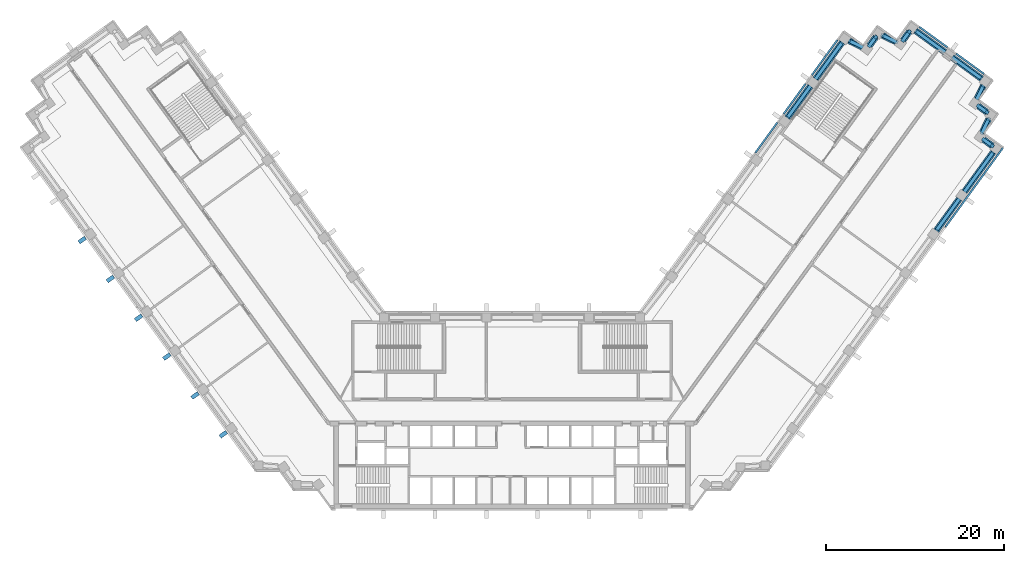
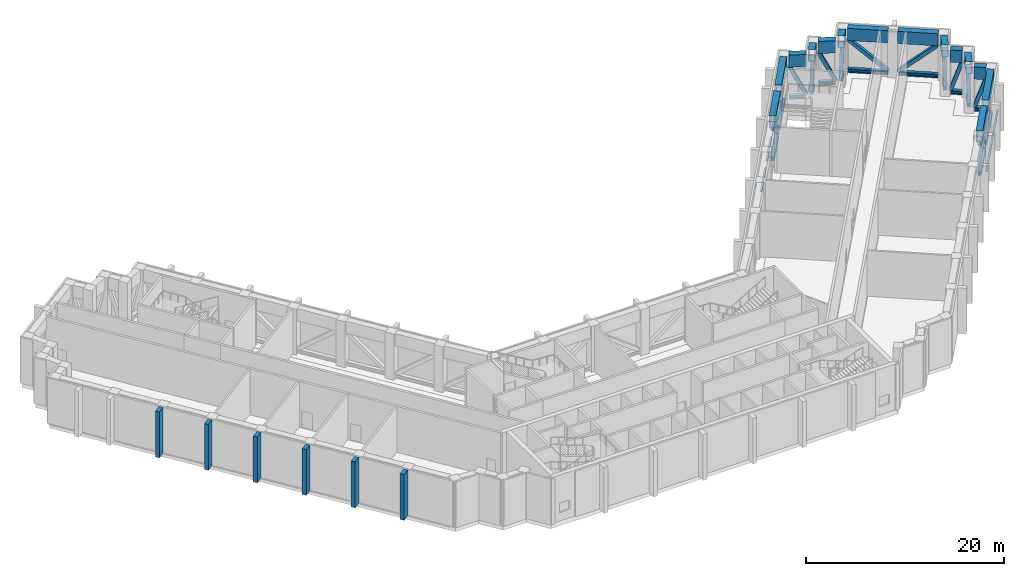
"""IFC4 building model written with IfcOpenShell, lengths in metres."""

import ifcopenshell
import ifcopenshell.guid

model = None  # the IFC model being written
_history = None  # IfcOwnerHistory: only IFC2X3 demands one
_inside = {}  # id of a spatial element -> (the spatial element, [elements in it])
_under = {}  # id of a project, library or spatial element -> (it, [spatial elements below it])
_declared = {}  # id of a project -> (the project, [libraries it declares])
_typed = {}  # id of a type object -> (the type object, [elements of that type])
_made_of = {}  # id of a material, layer set ... -> (it, [elements and type objects made of it])


def new_model(schema):
    """Start an empty IFC model of exactly this schema.

    Asked for "IFC4X3", IfcOpenShell would pick the latest addendum, in which some entities
    have other attributes; the version numbers below select the first issue.
    IFC2X3 requires an IfcOwnerHistory on every rooted entity: one is made here for all.
    """
    global model, _history
    if schema == "IFC4X3":
        model = ifcopenshell.file(schema_version=(4, 3, 0, 0))
    else:
        model = ifcopenshell.file(schema=schema)
    _inside.clear()
    _under.clear()
    _declared.clear()
    _typed.clear()
    _made_of.clear()
    _history = None
    if model.schema == "IFC2X3":
        org = make("IfcOrganization", Name="unknown")
        user = make(
            "IfcPersonAndOrganization",
            ThePerson=make("IfcPerson", FamilyName="unknown"),
            TheOrganization=org,
        )
        app = make(
            "IfcApplication",
            ApplicationDeveloper=org,
            Version="unknown",
            ApplicationFullName="unknown",
            ApplicationIdentifier="unknown",
        )
        _history = make(
            "IfcOwnerHistory",
            OwningUser=user,
            OwningApplication=app,
            ChangeAction="ADDED",
            CreationDate=0,
        )
    return model


def make(cls, **values):
    """One entity of the class cls with the attributes given. An attribute that is None is left unset."""
    return model.create_entity(
        cls, **{name: value for name, value in values.items() if value is not None}
    )


def rooted(cls, **values):
    """An entity with a GlobalId (a new one), such as an element, a storey or a relation."""
    return make(cls, GlobalId=ifcopenshell.guid.new(), OwnerHistory=_history, **values)


def si_unit(unit_type, name, prefix=None):
    """IfcSIUnit, for example si_unit("LENGTHUNIT", "METRE", prefix="MILLI")."""
    return make("IfcSIUnit", UnitType=unit_type, Prefix=prefix, Name=name)


def assignment(units):
    """IfcUnitAssignment: the units of a project."""
    return None if units is None else make("IfcUnitAssignment", Units=units)


def point(xyz):
    """IfcCartesianPoint."""
    return None if xyz is None else make("IfcCartesianPoint", Coordinates=xyz)


def direction(xyz):
    """IfcDirection."""
    return None if xyz is None else make("IfcDirection", DirectionRatios=xyz)


def frame(location, z_axis=None, x_axis=None):
    """IfcAxis2Placement3D, a coordinate frame: its origin and axes. An axis left out is left unset."""
    return make(
        "IfcAxis2Placement3D",
        Location=point(location),
        Axis=direction(z_axis),
        RefDirection=direction(x_axis),
    )


def frame_2d(location, x_axis=None):
    """IfcAxis2Placement2D, a coordinate frame in the plane: its origin and x axis."""
    return make(
        "IfcAxis2Placement2D", Location=point(location), RefDirection=direction(x_axis)
    )


def origin():
    """The frame at (0, 0, 0) with its axes left unset."""
    return frame((0.0, 0.0, 0.0))


def origin_2d():
    """The frame at (0, 0) in the plane with its x axis left unset."""
    return frame_2d((0.0, 0.0))


def place(relative_to, where):
    """IfcLocalPlacement: puts the frame where relative to a parent placement (None: the world)."""
    return make(
        "IfcLocalPlacement", PlacementRelTo=relative_to, RelativePlacement=where
    )


def context(
    kind, dimensions, precision=None, world=None, true_north=None, identifier=None
):
    """IfcGeometricRepresentationContext, for example the 3D "Model" context."""
    return make(
        "IfcGeometricRepresentationContext",
        ContextIdentifier=identifier,
        ContextType=kind,
        CoordinateSpaceDimension=dimensions,
        Precision=precision,
        WorldCoordinateSystem=world,
        TrueNorth=true_north,
    )


def subcontext(parent, identifier, kind, view, scale=None):
    """IfcGeometricRepresentationSubContext, for example "Body" below "Model"."""
    return make(
        "IfcGeometricRepresentationSubContext",
        ContextIdentifier=identifier,
        ContextType=kind,
        ParentContext=parent,
        TargetScale=scale,
        TargetView=view,
    )


def project(units=None, contexts=None):
    """IfcProject with its units and contexts."""
    return rooted(
        "IfcProject",
        Name="project",
        RepresentationContexts=contexts,
        UnitsInContext=assignment(units),
    )


def spatial(cls, under=None, at=None, **own):
    """A site, building, storey or space (cls), placed at a placement, below another one or the project."""
    s = rooted(cls, ObjectPlacement=at, **own)
    if under is not None:
        _under.setdefault(under.id(), (under, []))[1].append(s)
    return s


def profile(cls, at=None, kind="AREA", **sizes):
    """A parametric profile (cls). Its sizes go by their IFC names, for example OverallWidth=200.0."""
    return make(cls, ProfileType=kind, Position=at, **sizes)


def rectangle(**sizes):
    """IfcRectangleProfileDef."""
    return profile("IfcRectangleProfileDef", **sizes)


def hollow_rectangle(**sizes):
    """IfcRectangleHollowProfileDef."""
    return profile("IfcRectangleHollowProfileDef", **sizes)


def i_section(**sizes):
    """IfcIShapeProfileDef."""
    return profile("IfcIShapeProfileDef", **sizes)


def extrude(swept, where, along, depth):
    """IfcExtrudedAreaSolid: the profile swept, set in the frame where, extruded along a direction by depth."""
    return make(
        "IfcExtrudedAreaSolid",
        SweptArea=swept,
        Position=where,
        ExtrudedDirection=direction(along),
        Depth=depth,
    )


def shape(context_of_items, identifier, shape_type, items):
    """IfcShapeRepresentation: the items that make up one representation, for example the "Body"."""
    return make(
        "IfcShapeRepresentation",
        ContextOfItems=context_of_items,
        RepresentationIdentifier=identifier,
        RepresentationType=shape_type,
        Items=items,
    )


def material(Name=None, Category=None):
    """IfcMaterial."""
    return make("IfcMaterial", Name=Name, Category=Category)


def material_profile(
    of_material, cross_section, Name=None, Category=None, Priority=None
):
    """IfcMaterialProfile: a cross section and its material."""
    return make(
        "IfcMaterialProfile",
        Name=Name,
        Material=of_material,
        Profile=cross_section,
        Priority=Priority,
        Category=Category,
    )


def profile_set(profiles, Name=None, composite=None):
    """IfcMaterialProfileSet."""
    return make(
        "IfcMaterialProfileSet",
        Name=Name,
        MaterialProfiles=profiles,
        CompositeProfile=composite,
    )


def made_of(thing, what):
    """Note that an element or type object is made of a material, layer set ...; save() writes the relation."""
    if what is not None:
        _made_of.setdefault(what.id(), (what, []))[1].append(thing)
    return thing


def type_object(cls, material=None, **own):
    """A type object (cls), such as IfcWallType, which elements share."""
    return made_of(rooted(cls, **own), material)


def element(
    cls,
    number,
    at=None,
    inside=None,
    cuts=None,
    type_object=None,
    material=None,
    context=None,
    identifier="Body",
    shape_type=None,
    held_by="IfcProductDefinitionShape",
    body=None,
    shapes=None,
    **own,
):
    """One element of the class cls, such as IfcWall. Its Tag is "e" and its number.

    at: its placement. inside: the storey or other place that contains it. cuts: it is an
    opening in that element (IfcRelVoidsElement). A single representation is given by context,
    identifier, shape_type and body (its items); several are given by shapes. held_by: the class
    of the entity that holds the representations. save() writes the other relations.
    """
    e = rooted(cls, Tag="e%d" % number, ObjectPlacement=at, **own)
    if body is not None:
        shapes = [shape(context, identifier, shape_type, body)]
    if shapes is not None:
        e.Representation = make(held_by, Representations=shapes)
    if inside is not None:
        _inside.setdefault(inside.id(), (inside, []))[1].append(e)
    if cuts is not None:
        rooted(
            "IfcRelVoidsElement", RelatingBuildingElement=cuts, RelatedOpeningElement=e
        )
    if type_object is not None:
        _typed.setdefault(type_object.id(), (type_object, []))[1].append(e)
    return made_of(e, material)


def aggregate(whole, parts):
    """IfcRelAggregates: a whole, such as a stair, and the parts it consists of."""
    return rooted("IfcRelAggregates", RelatingObject=whole, RelatedObjects=parts)


def save(model, path):
    """Write the relations noted so far, then the file.

    IfcRelAggregates (storeys below a building ...), IfcRelContainedInSpatialStructure (elements
    in a storey), IfcRelDefinesByType, IfcRelAssociatesMaterial and IfcRelDeclares: one each for
    every whole, place, type object, material and project.
    """
    for whole, parts in _under.values():
        aggregate(whole, parts)
    for where, things in _inside.values():
        rooted(
            "IfcRelContainedInSpatialStructure",
            RelatedElements=things,
            RelatingStructure=where,
        )
    for kind, things in _typed.values():
        rooted("IfcRelDefinesByType", RelatedObjects=things, RelatingType=kind)
    for what, things in _made_of.values():
        rooted("IfcRelAssociatesMaterial", RelatedObjects=things, RelatingMaterial=what)
    for by, libraries in _declared.values():
        rooted("IfcRelDeclares", RelatingContext=by, RelatedDefinitions=libraries)
    model.write(path)


model = new_model("IFC4")

# Units and contexts
model_context = context("Model", 3, precision=1e-05, world=origin(), true_north=direction((0.0, 1.0)))
body_context = subcontext(model_context, "Body", "Model", "MODEL_VIEW")
ifc_project = project(units=[si_unit("LENGTHUNIT", "METRE"), si_unit("AREAUNIT", "SQUARE_METRE"), si_unit("VOLUMEUNIT", "CUBIC_METRE"), si_unit("PLANEANGLEUNIT", "RADIAN"), si_unit("MASSUNIT", "GRAM", prefix="KILO")], contexts=[model_context])

# Site, building, storey
site_placement = place(None, origin())
site = spatial("IfcSite", under=ifc_project, at=site_placement, CompositionType="ELEMENT")
building_placement = place(site_placement, origin())
building = spatial("IfcBuilding", under=site, at=building_placement, Name="Quipu Civic Tower", CompositionType="ELEMENT")
storey_1_placement = place(building_placement, frame((0.0, 0.0, 25.0)))
storey_1 = spatial("IfcBuildingStorey", under=building, at=storey_1_placement, Name="L05", CompositionType="ELEMENT", Elevation=25.0)

# Beams
ifc_material_1 = material(Name="Steel ASTM A992 Grade 50 (fy 345 MPa)", Category="steel")
ifc_material_profile_1 = material_profile(ifc_material_1, i_section(OverallWidth=0.41552734375, OverallDepth=0.445556640625, WebThickness=0.0390625, FlangeThickness=0.062744140625, at=origin_2d()), Name="W360x509")
ifc_profile_set_1 = profile_set([ifc_material_profile_1], Name="Steel ASTM A992 Grade 50 (fy 345 MPa)")
beam_type_1 = type_object("IfcBeamType", Name="Belt truss bottom chord W360x509", PredefinedType="BEAM", material=ifc_profile_set_1)
beam_1_placement = place(storey_1_placement, frame((47.71240234375, 20.279296875, 0.32275390625), z_axis=(0.587759228046, 0.809035901457, 0.0), x_axis=(-0.809035901457, 0.587759228046, 0.0)))
element("IfcBeam", 1, at=beam_1_placement, inside=storey_1, type_object=beam_type_1, Name="Truss bottom chord L05 E-OUT-06 to E-OUT-07", PredefinedType="BEAM", context=body_context, shape_type="SweptSolid", body=[
    extrude(i_section(OverallWidth=0.41552734375, OverallDepth=0.445556640625, WebThickness=0.0390625, FlangeThickness=0.062744140625, at=origin_2d()), origin(), (0.0, 0.0, 1.0), 4.400146484375),
])
beam_2_placement = place(storey_1_placement, frame((50.88623046875, 24.64794921875, 0.32275390625), z_axis=(0.587765432916, 0.809031393624, 0.0), x_axis=(-0.809031393624, 0.587765432916, 0.0)))
element("IfcBeam", 2, at=beam_2_placement, inside=storey_1, type_object=beam_type_1, Name="Truss bottom chord L05 E-OUT-07 to T-Eo.0-E50", PredefinedType="BEAM", context=body_context, shape_type="SweptSolid", body=[
    extrude(i_section(OverallWidth=0.41552734375, OverallDepth=0.445556640625, WebThickness=0.0390625, FlangeThickness=0.062744140625, at=origin_2d()), origin(), (0.0, 0.0, 1.0), 5.503662109375),
])
beam_3_placement = place(storey_1_placement, frame((54.0107421875, 29.79931640625, 0.32275390625), z_axis=(-0.808630508091, 0.588316837584, 0.0), x_axis=(-0.588316837584, -0.808630508091, 0.0)))
element("IfcBeam", 3, at=beam_3_placement, inside=storey_1, type_object=beam_type_1, Name="Truss bottom chord L05 T-Eo.0-E50 to T-Eo.1-E50", PredefinedType="BEAM", context=body_context, shape_type="SweptSolid", body=[
    extrude(i_section(OverallWidth=0.41552734375, OverallDepth=0.445556640625, WebThickness=0.0390625, FlangeThickness=0.062744140625, at=origin_2d()), origin(), (0.0, 0.0, 1.0), 1.2001953125),
])
beam_4_placement = place(storey_1_placement, frame((52.85546875, 31.258056640625, 0.32275390625), z_axis=(0.431370473785, 0.902174880135, 0.0), x_axis=(-0.902174880135, 0.431370473785, 0.0)))
element("IfcBeam", 4, at=beam_4_placement, inside=storey_1, type_object=beam_type_1, Name="Truss bottom chord L05 T-Eo.1-E50 to T-Eo.2-E50", PredefinedType="BEAM", context=body_context, shape_type="SweptSolid", body=[
    extrude(i_section(OverallWidth=0.41552734375, OverallDepth=0.445556640625, WebThickness=0.0390625, FlangeThickness=0.062744140625, at=origin_2d()), origin(), (0.0, 0.0, 1.0), 1.727294921875),
])
beam_5_placement = place(storey_1_placement, frame((53.415771484375, 33.569091796875, 0.32275390625), z_axis=(-0.808586856323, 0.588376831446, 0.0), x_axis=(-0.588376831446, -0.808586856323, 0.0)))
element("IfcBeam", 5, at=beam_5_placement, inside=storey_1, type_object=beam_type_1, Name="Truss bottom chord L05 T-Eo.2-E50 to T-Eo.3-E50", PredefinedType="BEAM", context=body_context, shape_type="SweptSolid", body=[
    extrude(i_section(OverallWidth=0.41552734375, OverallDepth=0.445556640625, WebThickness=0.0390625, FlangeThickness=0.062744140625, at=origin_2d()), origin(), (0.0, 0.0, 1.0), 1.202880859375),
])
beam_6_placement = place(storey_1_placement, frame((52.257568359375, 35.0302734375, 0.32275390625), z_axis=(0.430185740912, 0.902740399182, 0.0), x_axis=(-0.902740399182, 0.430185740912, 0.0)))
element("IfcBeam", 6, at=beam_6_placement, inside=storey_1, type_object=beam_type_1, Name="Truss bottom chord L05 T-Eo.3-E50 to T-Eo.4-E50", PredefinedType="BEAM", context=body_context, shape_type="SweptSolid", body=[
    extrude(i_section(OverallWidth=0.41552734375, OverallDepth=0.445556640625, WebThickness=0.0390625, FlangeThickness=0.062744140625, at=origin_2d()), origin(), (0.0, 0.0, 1.0), 1.728759765625),
])
beam_7_placement = place(storey_1_placement, frame((52.8154296875, 37.343994140625, 0.32275390625), z_axis=(-0.808980758408, 0.587835123589, 0.0), x_axis=(-0.587835123589, -0.808980758408, 0.0)))
element("IfcBeam", 7, at=beam_7_placement, inside=storey_1, type_object=beam_type_1, Name="Truss bottom chord L05 T-Eo.4-E50 to TIP-E-01-E50", PredefinedType="BEAM", context=body_context, shape_type="SweptSolid", body=[
    extrude(i_section(OverallWidth=0.41552734375, OverallDepth=0.445556640625, WebThickness=0.0390625, FlangeThickness=0.062744140625, at=origin_2d()), origin(), (0.0, 0.0, 1.0), 4.097900390625),
])
beam_8_placement = place(storey_1_placement, frame((48.69140625, 40.3408203125, 0.32275390625), z_axis=(-0.808983206573, 0.587831754401, 0.0), x_axis=(-0.587831754401, -0.808983206573, 0.0)))
element("IfcBeam", 8, at=beam_8_placement, inside=storey_1, type_object=beam_type_1, Name="Truss bottom chord L05 TIP-E-01-E50 to T-Ei.0-E50", PredefinedType="BEAM", context=body_context, shape_type="SweptSolid", body=[
    extrude(i_section(OverallWidth=0.41552734375, OverallDepth=0.445556640625, WebThickness=0.0390625, FlangeThickness=0.062744140625, at=origin_2d()), origin(), (0.0, 0.0, 1.0), 4.10009765625),
])
beam_9_placement = place(storey_1_placement, frame((44.67578125, 42.640625, 0.32275390625), z_axis=(-0.588461629015, -0.808525145667, 0.0), x_axis=(0.808525145667, -0.588461629015, 0.0)))
element("IfcBeam", 9, at=beam_9_placement, inside=storey_1, type_object=beam_type_1, Name="Truss bottom chord L05 T-Ei.0-E50 to T-Ei.1-E50", PredefinedType="BEAM", context=body_context, shape_type="SweptSolid", body=[
    extrude(i_section(OverallWidth=0.41552734375, OverallDepth=0.445556640625, WebThickness=0.0390625, FlangeThickness=0.062744140625, at=origin_2d()), origin(), (0.0, 0.0, 1.0), 1.201416015625),
])
beam_10_placement = place(storey_1_placement, frame((43.215576171875, 41.48388671875, 0.32275390625), z_axis=(-0.902651065962, 0.430373155666, 0.0), x_axis=(-0.430373155666, -0.902651065962, 0.0)))
element("IfcBeam", 10, at=beam_10_placement, inside=storey_1, type_object=beam_type_1, Name="Truss bottom chord L05 T-Ei.1-E50 to T-Ei.2-E50", PredefinedType="BEAM", context=body_context, shape_type="SweptSolid", body=[
    extrude(i_section(OverallWidth=0.41552734375, OverallDepth=0.445556640625, WebThickness=0.0390625, FlangeThickness=0.062744140625, at=origin_2d()), origin(), (0.0, 0.0, 1.0), 1.724609375),
])
beam_11_placement = place(storey_1_placement, frame((40.90576171875, 42.040771484375, 0.32275390625), z_axis=(-0.588316837584, -0.808630508091, 0.0), x_axis=(0.808630508091, -0.588316837584, 0.0)))
element("IfcBeam", 11, at=beam_11_placement, inside=storey_1, type_object=beam_type_1, Name="Truss bottom chord L05 T-Ei.2-E50 to T-Ei.3-E50", PredefinedType="BEAM", context=body_context, shape_type="SweptSolid", body=[
    extrude(i_section(OverallWidth=0.41552734375, OverallDepth=0.445556640625, WebThickness=0.0390625, FlangeThickness=0.062744140625, at=origin_2d()), origin(), (0.0, 0.0, 1.0), 1.2001953125),
])
beam_12_placement = place(storey_1_placement, frame((39.446533203125, 40.885009765625, 0.32275390625), z_axis=(-0.902482283387, 0.43072697637, 0.0), x_axis=(-0.43072697637, -0.902482283387, 0.0)))
element("IfcBeam", 12, at=beam_12_placement, inside=storey_1, type_object=beam_type_1, Name="Truss bottom chord L05 T-Ei.3-E50 to T-Ei.4-E50", PredefinedType="BEAM", context=body_context, shape_type="SweptSolid", body=[
    extrude(i_section(OverallWidth=0.41552734375, OverallDepth=0.445556640625, WebThickness=0.0390625, FlangeThickness=0.062744140625, at=origin_2d()), origin(), (0.0, 0.0, 1.0), 1.731689453125),
])
beam_13_placement = place(storey_1_placement, frame((37.131103515625, 41.445556640625, 0.32275390625), z_axis=(-0.587747065363, -0.809044737426, 0.0), x_axis=(0.809044737426, -0.587747065363, 0.0)))
element("IfcBeam", 13, at=beam_13_placement, inside=storey_1, type_object=beam_type_1, Name="Truss bottom chord L05 T-Ei.4-E50 to E-IN-06", PredefinedType="BEAM", context=body_context, shape_type="SweptSolid", body=[
    extrude(i_section(OverallWidth=0.41552734375, OverallDepth=0.445556640625, WebThickness=0.0390625, FlangeThickness=0.062744140625, at=origin_2d()), origin(), (0.0, 0.0, 1.0), 5.0947265625),
])
beam_14_placement = place(storey_1_placement, frame((33.549072265625, 36.5146484375, 0.32275390625), z_axis=(-0.587759228046, -0.809035901457, 0.0), x_axis=(0.809035901457, -0.587759228046, 0.0)))
element("IfcBeam", 14, at=beam_14_placement, inside=storey_1, type_object=beam_type_1, Name="Truss bottom chord L05 E-IN-06 to E-IN-05", PredefinedType="BEAM", context=body_context, shape_type="SweptSolid", body=[
    extrude(i_section(OverallWidth=0.41552734375, OverallDepth=0.445556640625, WebThickness=0.0390625, FlangeThickness=0.062744140625, at=origin_2d()), origin(), (0.0, 0.0, 1.0), 4.400146484375),
])

# Members
ifc_material_2 = material(Name="Steel ASTM A500 Grade C (fy 345 MPa)", Category="steel")
ifc_material_profile_2 = material_profile(ifc_material_2, hollow_rectangle(XDim=0.406494140625, YDim=0.406494140625, WallThickness=0.015869140625, at=origin_2d()), Name="HSS406x406x16")
ifc_profile_set_2 = profile_set([ifc_material_profile_2], Name="Steel ASTM A500 Grade C (fy 345 MPa)")
member_type_1 = type_object("IfcMemberType", Name="Belt truss diagonal HSS406x406x16", PredefinedType="BRACE", material=ifc_profile_set_2)
member_1_placement = place(storey_1_placement, frame((47.71240234375, 20.279296875, 4.14990234375), z_axis=(0.454675853554, 0.62584995947, -0.633704739155), x_axis=(-0.809035901457, 0.587759228046, 0.0)))
element("IfcMember", 15, at=member_1_placement, inside=storey_1, type_object=member_type_1, Name="Truss diagonal L05 E-OUT-06 to E-OUT-07", PredefinedType="BRACE", context=body_context, shape_type="SweptSolid", body=[
    extrude(hollow_rectangle(XDim=0.406494140625, YDim=0.406494140625, WallThickness=0.015869140625, at=origin_2d()), origin(), (0.0, 0.0, 1.0), 5.68798828125),
])
member_2_placement = place(storey_1_placement, frame((50.88623046875, 24.64794921875, 0.54541015625), z_axis=(0.491698482321, 0.67679976759, 0.547881991923), x_axis=(-0.809031393624, 0.587765432916, 0.0)))
element("IfcMember", 16, at=member_2_placement, inside=storey_1, type_object=member_type_1, Name="Truss diagonal L05 E-OUT-07 to T-Eo.0-E50", PredefinedType="BRACE", context=body_context, shape_type="SweptSolid", body=[
    extrude(hollow_rectangle(XDim=0.406494140625, YDim=0.406494140625, WallThickness=0.015869140625, at=origin_2d()), origin(), (0.0, 0.0, 1.0), 6.578857421875),
])
member_3_placement = place(storey_1_placement, frame((54.0107421875, 29.79931640625, 4.14990234375), z_axis=(-0.255448806194, 0.185851055978, -0.948791490479), x_axis=(-0.588316837584, -0.808630508091, 0.0)))
element("IfcMember", 17, at=member_3_placement, inside=storey_1, type_object=member_type_1, Name="Truss diagonal L05 T-Eo.0-E50 to T-Eo.1-E50", PredefinedType="BRACE", context=body_context, shape_type="SweptSolid", body=[
    extrude(hollow_rectangle(XDim=0.406494140625, YDim=0.406494140625, WallThickness=0.015869140625, at=origin_2d()), origin(), (0.0, 0.0, 1.0), 3.799072265625),
])
member_4_placement = place(storey_1_placement, frame((52.851806640625, 31.25048828125, 0.54541015625), z_axis=(0.18790850985, 0.392949495777, 0.900156145174), x_axis=(-0.902155540197, 0.4314109193, 0.0)))
element("IfcMember", 18, at=member_4_placement, inside=storey_1, type_object=member_type_1, Name="Truss diagonal L05 T-Eo.1-E50 to T-Eo.2-E50", PredefinedType="BRACE", context=body_context, shape_type="SweptSolid", body=[
    extrude(hollow_rectangle(XDim=0.406494140625, YDim=0.406494140625, WallThickness=0.015869140625, at=origin_2d()), origin(), (0.0, 0.0, 1.0), 4.00439453125),
])
member_5_placement = place(storey_1_placement, frame((53.415771484375, 33.569091796875, 4.14990234375), z_axis=(-0.255967900919, 0.18625776726, -0.94857180953), x_axis=(-0.588376831446, -0.808586856323, 0.0)))
element("IfcMember", 19, at=member_5_placement, inside=storey_1, type_object=member_type_1, Name="Truss diagonal L05 T-Eo.2-E50 to T-Eo.3-E50", PredefinedType="BRACE", context=body_context, shape_type="SweptSolid", body=[
    extrude(hollow_rectangle(XDim=0.406494140625, YDim=0.406494140625, WallThickness=0.015869140625, at=origin_2d()), origin(), (0.0, 0.0, 1.0), 3.7998046875),
])
member_6_placement = place(storey_1_placement, frame((52.25390625, 35.0224609375, 0.54541015625), z_axis=(0.187506114951, 0.393543393409, 0.899980585546), x_axis=(-0.902767447415, 0.430128975875, 0.0)))
element("IfcMember", 20, at=member_6_placement, inside=storey_1, type_object=member_type_1, Name="Truss diagonal L05 T-Eo.3-E50 to T-Eo.4-E50", PredefinedType="BRACE", context=body_context, shape_type="SweptSolid", body=[
    extrude(hollow_rectangle(XDim=0.406494140625, YDim=0.406494140625, WallThickness=0.015869140625, at=origin_2d()), origin(), (0.0, 0.0, 1.0), 4.005126953125),
])
member_7_placement = place(storey_1_placement, frame((52.8154296875, 37.343994140625, 4.14990234375), z_axis=(-0.607439852725, 0.441388101247, -0.660449369293), x_axis=(-0.587835123589, -0.808980758408, 0.0)))
element("IfcMember", 21, at=member_7_placement, inside=storey_1, type_object=member_type_1, Name="Truss diagonal L05 T-Eo.4-E50 to TIP-E-01-E50", PredefinedType="BRACE", context=body_context, shape_type="SweptSolid", body=[
    extrude(hollow_rectangle(XDim=0.406494140625, YDim=0.406494140625, WallThickness=0.015869140625, at=origin_2d()), origin(), (0.0, 0.0, 1.0), 5.45751953125),
])
member_8_placement = place(storey_1_placement, frame((48.69140625, 40.3408203125, 0.54541015625), z_axis=(-0.607577418328, 0.441484195034, 0.660258575312), x_axis=(-0.587831754401, -0.808983206573, 0.0)))
element("IfcMember", 22, at=member_8_placement, inside=storey_1, type_object=member_type_1, Name="Truss diagonal L05 TIP-E-01-E50 to T-Ei.0-E50", PredefinedType="BRACE", context=body_context, shape_type="SweptSolid", body=[
    extrude(hollow_rectangle(XDim=0.406494140625, YDim=0.406494140625, WallThickness=0.015869140625, at=origin_2d()), origin(), (0.0, 0.0, 1.0), 5.459228515625),
])
member_9_placement = place(storey_1_placement, frame((44.67578125, 42.640625, 4.14990234375), z_axis=(-0.186086990852, -0.255676842748, -0.948683816621), x_axis=(0.808525145667, -0.588461629015, 0.0)))
element("IfcMember", 23, at=member_9_placement, inside=storey_1, type_object=member_type_1, Name="Truss diagonal L05 T-Ei.0-E50 to T-Ei.1-E50", PredefinedType="BRACE", context=body_context, shape_type="SweptSolid", body=[
    extrude(hollow_rectangle(XDim=0.406494140625, YDim=0.406494140625, WallThickness=0.015869140625, at=origin_2d()), origin(), (0.0, 0.0, 1.0), 3.799560546875),
])
member_10_placement = place(storey_1_placement, frame((43.223388671875, 41.480224609375, 0.54541015625), z_axis=(-0.392693998693, 0.187229472898, 0.900409100281), x_axis=(-0.430368856287, -0.902653115841, 0.0)))
element("IfcMember", 24, at=member_10_placement, inside=storey_1, type_object=member_type_1, Name="Truss diagonal L05 T-Ei.1-E50 to T-Ei.2-E50", PredefinedType="BRACE", context=body_context, shape_type="SweptSolid", body=[
    extrude(hollow_rectangle(XDim=0.406494140625, YDim=0.406494140625, WallThickness=0.015869140625, at=origin_2d()), origin(), (0.0, 0.0, 1.0), 4.003173828125),
])
member_11_placement = place(storey_1_placement, frame((40.90576171875, 42.040771484375, 4.14990234375), z_axis=(-0.185851055978, -0.255448806194, -0.948791490479), x_axis=(0.808630508091, -0.588316837584, 0.0)))
element("IfcMember", 25, at=member_11_placement, inside=storey_1, type_object=member_type_1, Name="Truss diagonal L05 T-Ei.2-E50 to T-Ei.3-E50", PredefinedType="BRACE", context=body_context, shape_type="SweptSolid", body=[
    extrude(hollow_rectangle(XDim=0.406494140625, YDim=0.406494140625, WallThickness=0.015869140625, at=origin_2d()), origin(), (0.0, 0.0, 1.0), 3.799072265625),
])
member_12_placement = place(storey_1_placement, frame((39.454345703125, 40.88134765625, 0.54541015625), z_axis=(-0.39391484611, 0.187999272935, 0.899715159031), x_axis=(-0.430719248518, -0.902485971612, 0.0)))
element("IfcMember", 26, at=member_12_placement, inside=storey_1, type_object=member_type_1, Name="Truss diagonal L05 T-Ei.3-E50 to T-Ei.4-E50", PredefinedType="BRACE", context=body_context, shape_type="SweptSolid", body=[
    extrude(hollow_rectangle(XDim=0.406494140625, YDim=0.406494140625, WallThickness=0.015869140625, at=origin_2d()), origin(), (0.0, 0.0, 1.0), 4.00634765625),
])
member_13_placement = place(storey_1_placement, frame((37.131103515625, 41.445556640625, 4.14990234375), z_axis=(-0.479804326174, -0.660459554733, -0.577564702131), x_axis=(0.809044737426, -0.587747065363, 0.0)))
element("IfcMember", 27, at=member_13_placement, inside=storey_1, type_object=member_type_1, Name="Truss diagonal L05 T-Ei.4-E50 to E-IN-06", PredefinedType="BRACE", context=body_context, shape_type="SweptSolid", body=[
    extrude(hollow_rectangle(XDim=0.406494140625, YDim=0.406494140625, WallThickness=0.015869140625, at=origin_2d()), origin(), (0.0, 0.0, 1.0), 6.240966796875),
])
member_14_placement = place(storey_1_placement, frame((33.549072265625, 36.5146484375, 0.54541015625), z_axis=(-0.454675853554, -0.62584995947, 0.633704739155), x_axis=(0.809035901457, -0.587759228046, 0.0)))
element("IfcMember", 28, at=member_14_placement, inside=storey_1, type_object=member_type_1, Name="Truss diagonal L05 E-IN-06 to E-IN-05", PredefinedType="BRACE", context=body_context, shape_type="SweptSolid", body=[
    extrude(hollow_rectangle(XDim=0.406494140625, YDim=0.406494140625, WallThickness=0.015869140625, at=origin_2d()), origin(), (0.0, 0.0, 1.0), 5.68798828125),
])

# Beams
ifc_material_3 = material(Name="Steel ASTM A572 Grade 50 (fy 345 MPa)", Category="steel")
ifc_material_profile_3 = material_profile(ifc_material_3, hollow_rectangle(XDim=0.699951171875, YDim=1.5, WallThickness=0.050048828125, at=origin_2d()), Name="BX1500x700x50")
ifc_profile_set_3 = profile_set([ifc_material_profile_3], Name="Steel ASTM A572 Grade 50 (fy 345 MPa)")
beam_type_2 = type_object("IfcBeamType", Name="Belt truss top chord BX1500x700x50", PredefinedType="BEAM", material=ifc_profile_set_3)
beam_15_placement = place(storey_1_placement, frame((47.71240234375, 20.279296875, 4.89990234375), z_axis=(0.587759228046, 0.809035901457, 0.0), x_axis=(-0.809035901457, 0.587759228046, 0.0)))
element("IfcBeam", 29, at=beam_15_placement, inside=storey_1, type_object=beam_type_2, Name="Truss top chord L05 E-OUT-06 to E-OUT-07", PredefinedType="BEAM", context=body_context, shape_type="SweptSolid", body=[
    extrude(hollow_rectangle(XDim=0.699951171875, YDim=1.5, WallThickness=0.050048828125, at=origin_2d()), origin(), (0.0, 0.0, 1.0), 4.400146484375),
])
beam_16_placement = place(storey_1_placement, frame((50.88623046875, 24.64794921875, 4.89990234375), z_axis=(0.587765432916, 0.809031393624, 0.0), x_axis=(-0.809031393624, 0.587765432916, 0.0)))
element("IfcBeam", 30, at=beam_16_placement, inside=storey_1, type_object=beam_type_2, Name="Truss top chord L05 E-OUT-07 to T-Eo.0-E50", PredefinedType="BEAM", context=body_context, shape_type="SweptSolid", body=[
    extrude(hollow_rectangle(XDim=0.699951171875, YDim=1.5, WallThickness=0.050048828125, at=origin_2d()), origin(), (0.0, 0.0, 1.0), 5.503662109375),
])
beam_17_placement = place(storey_1_placement, frame((54.0107421875, 29.79931640625, 4.89990234375), z_axis=(-0.808630508091, 0.588316837584, 0.0), x_axis=(-0.588316837584, -0.808630508091, 0.0)))
element("IfcBeam", 31, at=beam_17_placement, inside=storey_1, type_object=beam_type_2, Name="Truss top chord L05 T-Eo.0-E50 to T-Eo.1-E50", PredefinedType="BEAM", context=body_context, shape_type="SweptSolid", body=[
    extrude(hollow_rectangle(XDim=0.699951171875, YDim=1.5, WallThickness=0.050048828125, at=origin_2d()), origin(), (0.0, 0.0, 1.0), 1.2001953125),
])
beam_18_placement = place(storey_1_placement, frame((52.85546875, 31.258056640625, 4.89990234375), z_axis=(0.431370473785, 0.902174880135, 0.0), x_axis=(-0.902174880135, 0.431370473785, 0.0)))
element("IfcBeam", 32, at=beam_18_placement, inside=storey_1, type_object=beam_type_2, Name="Truss top chord L05 T-Eo.1-E50 to T-Eo.2-E50", PredefinedType="BEAM", context=body_context, shape_type="SweptSolid", body=[
    extrude(hollow_rectangle(XDim=0.699951171875, YDim=1.5, WallThickness=0.050048828125, at=origin_2d()), origin(), (0.0, 0.0, 1.0), 1.727294921875),
])
beam_19_placement = place(storey_1_placement, frame((53.415771484375, 33.569091796875, 4.89990234375), z_axis=(-0.808586856323, 0.588376831446, 0.0), x_axis=(-0.588376831446, -0.808586856323, 0.0)))
element("IfcBeam", 33, at=beam_19_placement, inside=storey_1, type_object=beam_type_2, Name="Truss top chord L05 T-Eo.2-E50 to T-Eo.3-E50", PredefinedType="BEAM", context=body_context, shape_type="SweptSolid", body=[
    extrude(hollow_rectangle(XDim=0.699951171875, YDim=1.5, WallThickness=0.050048828125, at=origin_2d()), origin(), (0.0, 0.0, 1.0), 1.202880859375),
])
beam_20_placement = place(storey_1_placement, frame((52.257568359375, 35.0302734375, 4.89990234375), z_axis=(0.430185740912, 0.902740399182, 0.0), x_axis=(-0.902740399182, 0.430185740912, 0.0)))
element("IfcBeam", 34, at=beam_20_placement, inside=storey_1, type_object=beam_type_2, Name="Truss top chord L05 T-Eo.3-E50 to T-Eo.4-E50", PredefinedType="BEAM", context=body_context, shape_type="SweptSolid", body=[
    extrude(hollow_rectangle(XDim=0.699951171875, YDim=1.5, WallThickness=0.050048828125, at=origin_2d()), origin(), (0.0, 0.0, 1.0), 1.728759765625),
])
beam_21_placement = place(storey_1_placement, frame((52.8154296875, 37.343994140625, 4.89990234375), z_axis=(-0.808980758408, 0.587835123589, 0.0), x_axis=(-0.587835123589, -0.808980758408, 0.0)))
element("IfcBeam", 35, at=beam_21_placement, inside=storey_1, type_object=beam_type_2, Name="Truss top chord L05 T-Eo.4-E50 to TIP-E-01-E50", PredefinedType="BEAM", context=body_context, shape_type="SweptSolid", body=[
    extrude(hollow_rectangle(XDim=0.699951171875, YDim=1.5, WallThickness=0.050048828125, at=origin_2d()), origin(), (0.0, 0.0, 1.0), 4.097900390625),
])
beam_22_placement = place(storey_1_placement, frame((48.69140625, 40.3408203125, 4.89990234375), z_axis=(-0.808983206573, 0.587831754401, 0.0), x_axis=(-0.587831754401, -0.808983206573, 0.0)))
element("IfcBeam", 36, at=beam_22_placement, inside=storey_1, type_object=beam_type_2, Name="Truss top chord L05 TIP-E-01-E50 to T-Ei.0-E50", PredefinedType="BEAM", context=body_context, shape_type="SweptSolid", body=[
    extrude(hollow_rectangle(XDim=0.699951171875, YDim=1.5, WallThickness=0.050048828125, at=origin_2d()), origin(), (0.0, 0.0, 1.0), 4.10009765625),
])
beam_23_placement = place(storey_1_placement, frame((44.67578125, 42.640625, 4.89990234375), z_axis=(-0.588461629015, -0.808525145667, 0.0), x_axis=(0.808525145667, -0.588461629015, 0.0)))
element("IfcBeam", 37, at=beam_23_placement, inside=storey_1, type_object=beam_type_2, Name="Truss top chord L05 T-Ei.0-E50 to T-Ei.1-E50", PredefinedType="BEAM", context=body_context, shape_type="SweptSolid", body=[
    extrude(hollow_rectangle(XDim=0.699951171875, YDim=1.5, WallThickness=0.050048828125, at=origin_2d()), origin(), (0.0, 0.0, 1.0), 1.201416015625),
])
beam_24_placement = place(storey_1_placement, frame((43.215576171875, 41.48388671875, 4.89990234375), z_axis=(-0.902651065962, 0.430373155666, 0.0), x_axis=(-0.430373155666, -0.902651065962, 0.0)))
element("IfcBeam", 38, at=beam_24_placement, inside=storey_1, type_object=beam_type_2, Name="Truss top chord L05 T-Ei.1-E50 to T-Ei.2-E50", PredefinedType="BEAM", context=body_context, shape_type="SweptSolid", body=[
    extrude(hollow_rectangle(XDim=0.699951171875, YDim=1.5, WallThickness=0.050048828125, at=origin_2d()), origin(), (0.0, 0.0, 1.0), 1.724609375),
])
beam_25_placement = place(storey_1_placement, frame((40.90576171875, 42.040771484375, 4.89990234375), z_axis=(-0.588316837584, -0.808630508091, 0.0), x_axis=(0.808630508091, -0.588316837584, 0.0)))
element("IfcBeam", 39, at=beam_25_placement, inside=storey_1, type_object=beam_type_2, Name="Truss top chord L05 T-Ei.2-E50 to T-Ei.3-E50", PredefinedType="BEAM", context=body_context, shape_type="SweptSolid", body=[
    extrude(hollow_rectangle(XDim=0.699951171875, YDim=1.5, WallThickness=0.050048828125, at=origin_2d()), origin(), (0.0, 0.0, 1.0), 1.2001953125),
])
beam_26_placement = place(storey_1_placement, frame((39.446533203125, 40.885009765625, 4.89990234375), z_axis=(-0.902482283387, 0.43072697637, 0.0), x_axis=(-0.43072697637, -0.902482283387, 0.0)))
element("IfcBeam", 40, at=beam_26_placement, inside=storey_1, type_object=beam_type_2, Name="Truss top chord L05 T-Ei.3-E50 to T-Ei.4-E50", PredefinedType="BEAM", context=body_context, shape_type="SweptSolid", body=[
    extrude(hollow_rectangle(XDim=0.699951171875, YDim=1.5, WallThickness=0.050048828125, at=origin_2d()), origin(), (0.0, 0.0, 1.0), 1.731689453125),
])
beam_27_placement = place(storey_1_placement, frame((37.131103515625, 41.445556640625, 4.89990234375), z_axis=(-0.587747065363, -0.809044737426, 0.0), x_axis=(0.809044737426, -0.587747065363, 0.0)))
element("IfcBeam", 41, at=beam_27_placement, inside=storey_1, type_object=beam_type_2, Name="Truss top chord L05 T-Ei.4-E50 to E-IN-06", PredefinedType="BEAM", context=body_context, shape_type="SweptSolid", body=[
    extrude(hollow_rectangle(XDim=0.699951171875, YDim=1.5, WallThickness=0.050048828125, at=origin_2d()), origin(), (0.0, 0.0, 1.0), 5.0947265625),
])
beam_28_placement = place(storey_1_placement, frame((33.549072265625, 36.5146484375, 4.89990234375), z_axis=(-0.587759228046, -0.809035901457, 0.0), x_axis=(0.809035901457, -0.587759228046, 0.0)))
element("IfcBeam", 42, at=beam_28_placement, inside=storey_1, type_object=beam_type_2, Name="Truss top chord L05 E-IN-06 to E-IN-05", PredefinedType="BEAM", context=body_context, shape_type="SweptSolid", body=[
    extrude(hollow_rectangle(XDim=0.699951171875, YDim=1.5, WallThickness=0.050048828125, at=origin_2d()), origin(), (0.0, 0.0, 1.0), 4.400146484375),
])

# Storey
storey_2_placement = place(building_placement, frame((0.0, 0.0, 16.0)))
storey_2 = spatial("IfcBuildingStorey", under=building, at=storey_2_placement, Name="L03", CompositionType="ELEMENT", Elevation=16.0)

# Curtain wall, member
ifc_material_4 = material(Name="Insulated glass unit", Category="glass")
curtain_wall_type = type_object("IfcCurtainWallType", Name="Public services curtain wall CW3", PredefinedType="NOTDEFINED", material=ifc_material_4)
curtain_wall_1_placement = place(storey_2_placement, origin())
curtain_wall_1 = element("IfcCurtainWall", 43, at=curtain_wall_1_placement, inside=storey_2, type_object=curtain_wall_type, Name="Public services curtain wall CW3 L02 run 32", PredefinedType="NOTDEFINED")
ifc_material_5 = material(Name="Anodised aluminium", Category="aluminium")
ifc_material_profile_4 = material_profile(ifc_material_5, rectangle(XDim=0.199951171875, YDim=0.139892578125, at=origin_2d()), Name="RECT 200x140")
ifc_profile_set_4 = profile_set([ifc_material_profile_4], Name="Anodised aluminium")
member_type_2 = type_object("IfcMemberType", Name="Transom CW3", PredefinedType="USERDEFINED", material=ifc_profile_set_4)
member_15_placement = place(storey_1_placement, frame((48.746337890625, 20.681640625, 0.0), z_axis=(0.587797192867, 0.809008318905, 0.0), x_axis=(-0.809008318905, 0.587797192867, 0.0)))
member_15 = element("IfcMember", 44, at=member_15_placement, inside=storey_1, type_object=member_type_2, Name="CW3 transom 4.4", ObjectType="TRANSOM", PredefinedType="USERDEFINED", context=body_context, shape_type="SweptSolid", body=[
    extrude(rectangle(XDim=0.199951171875, YDim=0.139892578125, at=origin_2d()), origin(), (0.0, 0.0, 1.0), 10.971435546875),
])
aggregate(curtain_wall_1, [member_15])

curtain_wall_2_placement = place(storey_2_placement, origin())
curtain_wall_2 = element("IfcCurtainWall", 45, at=curtain_wall_2_placement, inside=storey_2, type_object=curtain_wall_type, Name="Public services curtain wall CW3 L02 run 37", PredefinedType="NOTDEFINED")
member_16_placement = place(storey_1_placement, frame((53.087158203125, 37.887939453125, 0.0), z_axis=(-0.809009543625, 0.587795507233, 0.0), x_axis=(-0.587795507233, -0.809009543625, 0.0)))
member_16 = element("IfcMember", 46, at=member_16_placement, inside=storey_1, type_object=member_type_2, Name="CW3 transom 1.4", ObjectType="TRANSOM", PredefinedType="USERDEFINED", context=body_context, shape_type="SweptSolid", body=[
    extrude(rectangle(XDim=0.199951171875, YDim=0.139892578125, at=origin_2d()), origin(), (0.0, 0.0, 1.0), 3.89794921875),
])
aggregate(curtain_wall_2, [member_16])

curtain_wall_3_placement = place(storey_2_placement, origin())
curtain_wall_3 = element("IfcCurtainWall", 47, at=curtain_wall_3_placement, inside=storey_2, type_object=curtain_wall_type, Name="Public services curtain wall CW3 L02 run 38", PredefinedType="NOTDEFINED")
member_17_placement = place(storey_1_placement, frame((48.962646484375, 40.884521484375, 0.0), z_axis=(-0.809041868783, 0.587751014083, 0.0), x_axis=(-0.587751014083, -0.809041868783, 0.0)))
member_17 = element("IfcMember", 48, at=member_17_placement, inside=storey_1, type_object=member_type_2, Name="CW3 transom 1.4", ObjectType="TRANSOM", PredefinedType="USERDEFINED", context=body_context, shape_type="SweptSolid", body=[
    extrude(rectangle(XDim=0.199951171875, YDim=0.139892578125, at=origin_2d()), origin(), (0.0, 0.0, 1.0), 3.89990234375),
])
aggregate(curtain_wall_3, [member_17])

curtain_wall_4_placement = place(storey_2_placement, origin())
curtain_wall_4 = element("IfcCurtainWall", 49, at=curtain_wall_4_placement, inside=storey_2, type_object=curtain_wall_type, Name="Public services curtain wall CW3 L02 run 43", PredefinedType="NOTDEFINED")
member_18_placement = place(storey_1_placement, frame((36.588134765625, 41.71630859375, 0.0), z_axis=(-0.587792001702, -0.809012090599, 0.0), x_axis=(0.809012090599, -0.587792001702, 0.0)))
member_18 = element("IfcMember", 50, at=member_18_placement, inside=storey_1, type_object=member_type_2, Name="CW3 transom 1.4", ObjectType="TRANSOM", PredefinedType="USERDEFINED", context=body_context, shape_type="SweptSolid", body=[
    extrude(rectangle(XDim=0.199951171875, YDim=0.139892578125, at=origin_2d()), origin(), (0.0, 0.0, 1.0), 4.89453125),
])
aggregate(curtain_wall_4, [member_18])

curtain_wall_5_placement = place(storey_2_placement, origin())
curtain_wall_5 = element("IfcCurtainWall", 51, at=curtain_wall_5_placement, inside=storey_2, type_object=curtain_wall_type, Name="Public services curtain wall CW3 L02 run 44", PredefinedType="NOTDEFINED")
member_19_placement = place(storey_1_placement, frame((33.005859375, 36.78564453125, 0.0), z_axis=(-0.587784533062, -0.809017516926, 0.0), x_axis=(0.809017516926, -0.587784533062, 0.0)))
member_19 = element("IfcMember", 52, at=member_19_placement, inside=storey_1, type_object=member_type_2, Name="CW3 transom 1.4", ObjectType="TRANSOM", PredefinedType="USERDEFINED", context=body_context, shape_type="SweptSolid", body=[
    extrude(rectangle(XDim=0.199951171875, YDim=0.139892578125, at=origin_2d()), origin(), (0.0, 0.0, 1.0), 4.2001953125),
])
aggregate(curtain_wall_5, [member_19])

curtain_wall_6_placement = place(storey_2_placement, origin())
curtain_wall_6 = element("IfcCurtainWall", 53, at=curtain_wall_6_placement, inside=storey_2, type_object=curtain_wall_type, Name="Public services curtain wall CW3 L02 run 45", PredefinedType="NOTDEFINED")
member_20_placement = place(storey_1_placement, frame((29.831787109375, 32.4169921875, 0.0), z_axis=(-0.587746486169, -0.809045158194, 0.0), x_axis=(0.809045158194, -0.587746486169, 0.0)))
member_20 = element("IfcMember", 54, at=member_20_placement, inside=storey_1, type_object=member_type_2, Name="CW3 transom 1.4", ObjectType="TRANSOM", PredefinedType="USERDEFINED", context=body_context, shape_type="SweptSolid", body=[
    extrude(rectangle(XDim=0.199951171875, YDim=0.139892578125, at=origin_2d()), origin(), (0.0, 0.0, 1.0), 4.199951171875),
])
aggregate(curtain_wall_6, [member_20])

# Plates
ifc_material_6 = material(Name="Precast concrete C40/50", Category="concrete")
plate_type = type_object("IfcPlateType", Name="Precast fin F1", PredefinedType="SHEET", material=ifc_material_6)
for number, where, z_axis, x_axis, name in (
    (55, (-48.339111328125, 19.20556640625, 0.0), (0.0, 0.0, 1.0), (0.587785716149, -0.809016657363, 0.0), "Precast fin F1 L05.11.3"),
    (56, (-45.1650390625, 14.8369140625, 0.0), (0.0, 0.0, 1.0), (0.587785716149, -0.809016657363, 0.0), "Precast fin F1 L05.11.4"),
    (57, (-41.990966796875, 10.46826171875, 0.0), (0.0, 0.0, 1.0), (0.587785716149, -0.809016657363, 0.0), "Precast fin F1 L05.11.5"),
    (58, (-38.81689453125, 6.099609375, 0.0), (0.0, 0.0, 1.0), (0.587785716149, -0.809016657363, 0.0), "Precast fin F1 L05.11.6"),
    (59, (-35.642822265625, 1.73095703125, 0.0), (0.0, 0.0, 1.0), (0.587785716149, -0.809016657363, 0.0), "Precast fin F1 L05.11.7"),
    (60, (-32.46875, -2.6376953125, 0.0), (0.0, 0.0, 1.0), (0.587785716149, -0.809016657363, 0.0), "Precast fin F1 L05.11.8"),
):
    element("IfcPlate", number, at=place(storey_1_placement, frame(where, z_axis=z_axis, x_axis=x_axis)), inside=storey_1, type_object=plate_type, Name=name, PredefinedType="SHEET", context=body_context, shape_type="SweptSolid", body=[
        extrude(rectangle(XDim=0.449951171875, YDim=0.89990234375, at=origin_2d()), origin(), (0.0, 0.0, 1.0), 5.64990234375),
    ])

save(model, "model.ifc")
